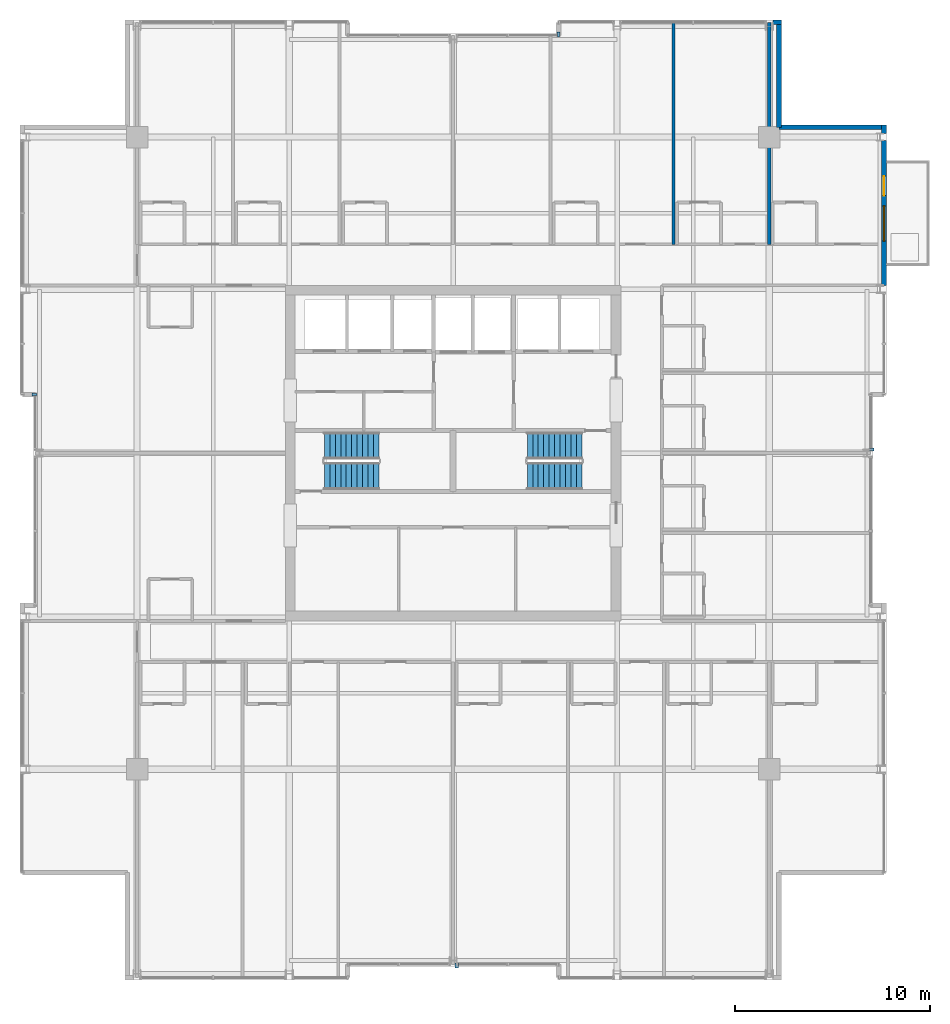
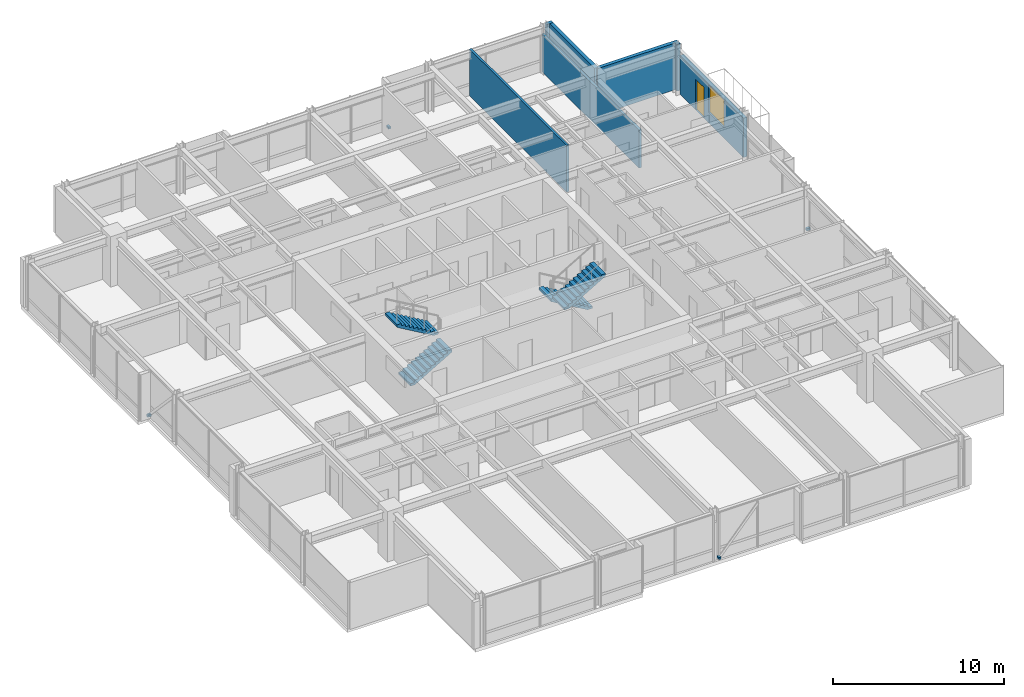
# One storey, part 30 of 33: 7 walls, 4 discrete accessories, 4 stair flights, 1 door, 1 window, 2 openings, 2 elements without a shape of their own.
"""IFC4 building model written with IfcOpenShell, lengths in metres."""

from ifc_helpers import new_model, si_unit, direction, frame, frame_2d, origin, origin_2d, place, context, subcontext, project, spatial, polyline, rectangle, outline, extrude, material, layer, layer_set, type_object, element, fill, aggregate, save


model = new_model("IFC4")

# Units and contexts
model_context = context("Model", 3, precision=1e-05, world=origin(), true_north=direction((0.0, 1.0)))
body_context = subcontext(model_context, "Body", "Model", "MODEL_VIEW")
ifc_project = project(units=[si_unit("LENGTHUNIT", "METRE"), si_unit("AREAUNIT", "SQUARE_METRE"), si_unit("VOLUMEUNIT", "CUBIC_METRE"), si_unit("PLANEANGLEUNIT", "RADIAN"), si_unit("MASSUNIT", "GRAM", prefix="KILO")], contexts=[model_context])

# Site, building, storey
site_placement = place(None, origin())
site = spatial("IfcSite", under=ifc_project, at=site_placement, CompositionType="ELEMENT")
building_placement = place(site_placement, origin())
building = spatial("IfcBuilding", under=site, at=building_placement, Name="Drelvath Grand Hotel", CompositionType="ELEMENT")
storey_placement = place(building_placement, frame((0.0, 0.0, 212.300048828125)))
storey = spatial("IfcBuildingStorey", under=building, at=storey_placement, Name="L55", CompositionType="ELEMENT", Elevation=212.300048828125)

# Walls
ifc_material_1 = material(Name="Gypsum Acoustic Partition")
ifc_layer_1 = layer(ifc_material_1, 0.14990234375)
ifc_layer_set_1 = layer_set([ifc_layer_1], Name="Gypsum Acoustic Partition")
wall_type_1 = type_object("IfcWallType", Name="Guestroom Demising Wall 150", PredefinedType="PARTITIONING", material=ifc_layer_set_1)
wall_1_placement = place(storey_placement, frame((11.291015625, 37.699951171875, 0.0), z_axis=(0.0, 0.0, 1.0), x_axis=(0.0, 1.0, 0.0)))
element("IfcWall", 1, at=wall_1_placement, inside=storey, type_object=wall_type_1, Name="L55 North Demising 5", PredefinedType="PARTITIONING", context=body_context, shape_type="SweptSolid", body=[
    extrude(rectangle(XDim=11.380126953125, YDim=0.14990234375, at=frame_2d((5.68994140625, 0.0))), origin(), (0.0, 0.0, 1.0), 3.33984375),
])
ifc_layer_2 = layer(ifc_material_1, 0.1650390625)
ifc_layer_set_2 = layer_set([ifc_layer_2], Name="Gypsum Acoustic Partition")
wall_type_2 = type_object("IfcWallType", Name="Suite Demising Wall 165", PredefinedType="PARTITIONING", material=ifc_layer_set_2)
wall_2_placement = place(storey_placement, frame((16.199951171875, 37.699951171875, 0.0), z_axis=(0.0, 0.0, 1.0), x_axis=(0.0, 1.0, 0.0)))
element("IfcWall", 2, at=wall_2_placement, inside=storey, type_object=wall_type_2, Name="L55 NE Suite Wall", PredefinedType="PARTITIONING", context=body_context, shape_type="SweptSolid", body=[
    extrude(rectangle(XDim=11.380126953125, YDim=0.1650390625, at=frame_2d((5.68994140625, 0.0))), origin(), (0.0, 0.0, 1.0), 2.7138671875),
])

# Wall, openings, window, door
ifc_material_2 = material(Name="Pale-Metal Insulated Aluminium Spandrel Assembly", Category="aluminium")
ifc_layer_3 = layer(ifc_material_2, 0.239990234375)
ifc_layer_set_3 = layer_set([ifc_layer_3], Name="Pale-Metal Insulated Aluminium Spandrel Assembly")
wall_type_3 = type_object("IfcWallType", Name="Tower Insulated Metal Spandrel Closure Wall 240", PredefinedType="STANDARD", material=ifc_layer_set_3)
wall_3_placement = place(storey_placement, frame((22.080078125, 43.0146484375, 0.0), z_axis=(0.0, 0.0, 1.0), x_axis=(0.0, -1.0, 0.0)))
wall_3 = element("IfcWall", 3, at=wall_3_placement, inside=storey, type_object=wall_type_3, Name="L55 Exterior Terrace Door Bay Wall EN2", PredefinedType="STANDARD", context=body_context, shape_type="SweptSolid", body=[
    extrude(rectangle(XDim=7.429443359375, YDim=0.239990234375, at=frame_2d((3.71484375, 0.0))), origin(), (0.0, 0.0, 1.0), 2.80322265625),
])
opening_1_placement = place(wall_3_placement, frame((1.814697265625, 0.0, 0.0)))
opening_1 = element("IfcOpeningElement", 4, at=opening_1_placement, cuts=wall_3, Name="Opening TD-1000", PredefinedType="OPENING", context=body_context, shape_type="SweptSolid", body=[
    extrude(rectangle(XDim=1.0, YDim=2.199951171875, at=frame_2d((0.5, 1.10009765625))), frame((0.0, 0.1298828125, 0.0), z_axis=(0.0, -1.0, 0.0), x_axis=(1.0, 0.0, 0.0)), (0.0, 0.0, 1.0), 0.260009765625),
])
opening_2_placement = place(wall_3_placement, frame((3.34619140625, 0.0, 0.75)))
opening_2 = element("IfcOpeningElement", 5, at=opening_2_placement, cuts=wall_3, Name="Opening W-02", PredefinedType="OPENING", context=body_context, shape_type="SweptSolid", body=[
    extrude(rectangle(XDim=1.800048828125, YDim=1.953369140625, at=frame_2d((0.89990234375, 0.9765625))), frame((0.0, 0.1298828125, 0.0), z_axis=(0.0, -1.0, 0.0), x_axis=(1.0, 0.0, 0.0)), (0.0, 0.0, 1.0), 0.260009765625),
])
ifc_material_3 = material(Name="Bronze Anodised Low-E Triple Glazing", Category="glass")
window_type = type_object("IfcWindowType", Name="Chicago Double-Pane Podium Window 1800x2400", PartitioningType="DOUBLE_PANEL_VERTICAL", PredefinedType="WINDOW", material=ifc_material_3)
window_placement = place(opening_2_placement, origin())
window = element("IfcWindow", 6, at=window_placement, inside=storey, type_object=window_type, Name="L55 Terrace Bay Companion Window EN2", OverallHeight=1.953369140625, OverallWidth=1.800048828125, PartitioningType="SINGLE_PANEL", PredefinedType="WINDOW", context=body_context, shape_type="SweptSolid", body=[
    extrude(rectangle(XDim=1.800048828125, YDim=1.953369140625, at=frame_2d((0.89990234375, 0.9765625))), frame((0.0, 0.030029296875, 0.0), z_axis=(0.0, -1.0, 0.0), x_axis=(1.0, 0.0, 0.0)), (0.0, 0.0, 1.0), 0.06005859375),
])
fill(opening_2, window)
ifc_material_4 = material(Name="Anodised Aluminium Thermally Broken Glazed Door", Category="aluminium")
door_type = type_object("IfcDoorType", Name="Terrace and Tree Balcony Glazed Door 1000x2200", OperationType="NOTDEFINED", PredefinedType="DOOR", material=ifc_material_4)
door_placement = place(opening_1_placement, origin())
door = element("IfcDoor", 7, at=door_placement, inside=storey, type_object=door_type, Name="L55 Tree Balcony Door DOOR-L55-TBAL-1", OperationType="SINGLE_SWING_RIGHT", OverallHeight=2.199951171875, OverallWidth=1.0, PredefinedType="DOOR", context=body_context, shape_type="SweptSolid", body=[
    extrude(rectangle(XDim=1.0, YDim=2.199951171875, at=frame_2d((0.5, 1.10009765625))), frame((0.0, 0.02490234375, 0.0), z_axis=(0.0, -1.0, 0.0), x_axis=(1.0, 0.0, 0.0)), (0.0, 0.0, 1.0), 0.050048828125),
])
fill(opening_1, door)

# Walls
for number, where, z_axis, x_axis, name in (
    (8, (22.080078125, 43.820068359375, 0.0), (0.0, 0.0, 1.0), (0.0, -1.0, 0.0), "L55 Corner Pier Spandrel Wall EN3"),
    (9, (16.38525390625, 49.080078125, 0.0), (0.0, 0.0, 1.0), (1.0, 0.0, 0.0), "L55 Corner Pier Spandrel Wall NE3"),
):
    element("IfcWall", number, at=place(storey_placement, frame(where, z_axis=z_axis, x_axis=x_axis)), inside=storey, type_object=wall_type_3, Name=name, PredefinedType="STANDARD", context=body_context, shape_type="SweptSolid", body=[
        extrude(rectangle(XDim=0.434814453125, YDim=0.239990234375, at=frame_2d((0.21728515625, 0.0))), origin(), (0.0, 0.0, 1.0), 3.33984375),
    ])
for number, where, z_axis, x_axis, name in (
    (10, (16.699951171875, 48.9599609375, 0.0), (0.0, 0.0, 1.0), (0.0, -1.0, 0.0), "L55 Notched Corner Return Spandrel Wall CNE1"),
    (11, (16.699951171875, 43.699951171875, 0.0), (0.0, 0.0, 1.0), (1.0, 0.0, 0.0), "L55 Notched Corner Return Spandrel Wall CNE2"),
):
    element("IfcWall", number, at=place(storey_placement, frame(where, z_axis=z_axis, x_axis=x_axis)), inside=storey, type_object=wall_type_3, Name=name, PredefinedType="STANDARD", context=body_context, shape_type="SweptSolid", body=[
        extrude(rectangle(XDim=5.260009765625, YDim=0.239990234375, at=frame_2d((2.6298828125, 0.0))), origin(), (0.0, 0.0, 1.0), 3.33984375),
    ])

# Stair, stair flights
ifc_material_5 = material(Name="Concrete C40/50", Category="concrete")
stair_type = type_object("IfcStairType", Name="Dogleg Exit Stair W1400-R163.6", PredefinedType="HALF_TURN_STAIR", material=ifc_material_5)
stair_1_placement = place(storey_placement, origin())
stair_1 = element("IfcStair", 12, at=stair_1_placement, inside=storey, type_object=stair_type, Name="L55 Core Exit Stair ST-1", PredefinedType="HALF_TURN_STAIR")
stair_flight_type = type_object("IfcStairFlightType", Name="Concrete Stair Flight W1400-R163.6", PredefinedType="STRAIGHT", material=ifc_material_5)
stair_flight_1_placement = place(storey_placement, frame((-6.60009765625, 25.820068359375, 0.0), z_axis=(0.0, 0.0, 1.0), x_axis=(1.0, 0.0, 0.0)))
stair_flight_1 = element("IfcStairFlight", 13, at=stair_flight_1_placement, type_object=stair_flight_type, Name="ST-1 flight 1", NumberOfRisers=11, NumberOfTreads=10, PredefinedType="STRAIGHT", RiserHeight=0.163636364, TreadLength=0.28, context=body_context, shape_type="SweptSolid", body=[
    extrude(outline(polyline([(0.0, 0.0), (0.0, 0.16357421875), (0.280029296875, 0.16357421875), (0.280029296875, 0.327392578125), (0.56005859375, 0.327392578125), (0.56005859375, 0.490966796875), (0.840087890625, 0.490966796875), (0.840087890625, 0.654541015625), (1.1201171875, 0.654541015625), (1.1201171875, 0.818115234375), (1.39990234375, 0.818115234375), (1.39990234375, 0.98193359375), (1.679931640625, 0.98193359375), (1.679931640625, 1.1455078125), (1.9599609375, 1.1455078125), (1.9599609375, 1.30908203125), (2.239990234375, 1.30908203125), (2.239990234375, 1.47265625), (2.52001953125, 1.47265625), (2.52001953125, 1.636474609375), (2.800048828125, 1.636474609375), (2.800048828125, 1.800048828125), (2.800048828125, 1.451171875), (0.31689453125, 0.0), (0.0, 0.0)])), frame((0.0, 0.699951171875, 0.0), z_axis=(0.0, -1.0, 0.0), x_axis=(1.0, 0.0, 0.0)), (0.0, 0.0, 1.0), 1.39990234375),
])
stair_flight_2_placement = place(storey_placement, frame((-3.800048828125, 27.3798828125, 1.800048828125), z_axis=(0.0, 0.0, 1.0), x_axis=(-1.0, 0.0, 0.0)))
stair_flight_2 = element("IfcStairFlight", 14, at=stair_flight_2_placement, type_object=stair_flight_type, Name="ST-1 flight 2", NumberOfRisers=11, NumberOfTreads=10, PredefinedType="STRAIGHT", RiserHeight=0.163636364, TreadLength=0.28, context=body_context, shape_type="SweptSolid", body=[
    extrude(outline(polyline([(0.0, 0.0), (0.0, 0.16357421875), (0.280029296875, 0.16357421875), (0.280029296875, 0.327392578125), (0.56005859375, 0.327392578125), (0.56005859375, 0.490966796875), (0.840087890625, 0.490966796875), (0.840087890625, 0.654541015625), (1.1201171875, 0.654541015625), (1.1201171875, 0.818115234375), (1.39990234375, 0.818115234375), (1.39990234375, 0.98193359375), (1.679931640625, 0.98193359375), (1.679931640625, 1.1455078125), (1.9599609375, 1.1455078125), (1.9599609375, 1.30908203125), (2.239990234375, 1.30908203125), (2.239990234375, 1.47265625), (2.52001953125, 1.47265625), (2.52001953125, 1.636474609375), (2.800048828125, 1.636474609375), (2.800048828125, 1.800048828125), (2.800048828125, 1.451171875), (0.31689453125, 0.0), (0.0, 0.0)])), frame((0.0, 0.699951171875, 0.0), z_axis=(0.0, -1.0, 0.0), x_axis=(1.0, 0.0, 0.0)), (0.0, 0.0, 1.0), 1.39990234375),
])
aggregate(stair_1, [stair_flight_1, stair_flight_2])

stair_2_placement = place(storey_placement, origin())
stair_2 = element("IfcStair", 15, at=stair_2_placement, inside=storey, type_object=stair_type, Name="L55 Core Exit Stair ST-2", PredefinedType="HALF_TURN_STAIR")
stair_flight_3_placement = place(storey_placement, frame((6.60009765625, 27.3798828125, 0.0), z_axis=(0.0, 0.0, 1.0), x_axis=(-1.0, 0.0, 0.0)))
stair_flight_3 = element("IfcStairFlight", 16, at=stair_flight_3_placement, type_object=stair_flight_type, Name="ST-2 flight 1", NumberOfRisers=11, NumberOfTreads=10, PredefinedType="STRAIGHT", RiserHeight=0.163636364, TreadLength=0.28, context=body_context, shape_type="SweptSolid", body=[
    extrude(outline(polyline([(0.0, 0.0), (0.0, 0.16357421875), (0.280029296875, 0.16357421875), (0.280029296875, 0.327392578125), (0.56005859375, 0.327392578125), (0.56005859375, 0.490966796875), (0.840087890625, 0.490966796875), (0.840087890625, 0.654541015625), (1.1201171875, 0.654541015625), (1.1201171875, 0.818115234375), (1.39990234375, 0.818115234375), (1.39990234375, 0.98193359375), (1.679931640625, 0.98193359375), (1.679931640625, 1.1455078125), (1.9599609375, 1.1455078125), (1.9599609375, 1.30908203125), (2.239990234375, 1.30908203125), (2.239990234375, 1.47265625), (2.52001953125, 1.47265625), (2.52001953125, 1.636474609375), (2.800048828125, 1.636474609375), (2.800048828125, 1.800048828125), (2.800048828125, 1.451171875), (0.31689453125, 0.0), (0.0, 0.0)])), frame((0.0, 0.699951171875, 0.0), z_axis=(0.0, -1.0, 0.0), x_axis=(1.0, 0.0, 0.0)), (0.0, 0.0, 1.0), 1.39990234375),
])
stair_flight_4_placement = place(storey_placement, frame((3.800048828125, 25.820068359375, 1.800048828125), z_axis=(0.0, 0.0, 1.0), x_axis=(1.0, 0.0, 0.0)))
stair_flight_4 = element("IfcStairFlight", 17, at=stair_flight_4_placement, type_object=stair_flight_type, Name="ST-2 flight 2", NumberOfRisers=11, NumberOfTreads=10, PredefinedType="STRAIGHT", RiserHeight=0.163636364, TreadLength=0.28, context=body_context, shape_type="SweptSolid", body=[
    extrude(outline(polyline([(0.0, 0.0), (0.0, 0.16357421875), (0.280029296875, 0.16357421875), (0.280029296875, 0.327392578125), (0.56005859375, 0.327392578125), (0.56005859375, 0.490966796875), (0.840087890625, 0.490966796875), (0.840087890625, 0.654541015625), (1.1201171875, 0.654541015625), (1.1201171875, 0.818115234375), (1.39990234375, 0.818115234375), (1.39990234375, 0.98193359375), (1.679931640625, 0.98193359375), (1.679931640625, 1.1455078125), (1.9599609375, 1.1455078125), (1.9599609375, 1.30908203125), (2.239990234375, 1.30908203125), (2.239990234375, 1.47265625), (2.52001953125, 1.47265625), (2.52001953125, 1.636474609375), (2.800048828125, 1.636474609375), (2.800048828125, 1.800048828125), (2.800048828125, 1.451171875), (0.31689453125, 0.0), (0.0, 0.0)])), frame((0.0, 0.699951171875, 0.0), z_axis=(0.0, -1.0, 0.0), x_axis=(1.0, 0.0, 0.0)), (0.0, 0.0, 1.0), 1.39990234375),
])
aggregate(stair_2, [stair_flight_3, stair_flight_4])

# Discrete accessories
ifc_material_6 = material(Name="Stainless Steel Grade 316", Category="steel")
discrete_accessory_type = type_object("IfcDiscreteAccessoryType", Name="Curtain Wall Fin Mounting Bracket Cleat", PredefinedType="BRACKET", material=ifc_material_6)
for number, where, z_axis, x_axis, name in (
    (18, (-21.4599609375, 30.0, 0.10009765625), (0.0, 0.0, 1.0), (0.0, 1.0, 0.0), "L55 Fin Mounting Bracket CW05-L55-WM2-1"),
    (19, (21.4599609375, 27.185302734375, 0.10009765625), (0.0, 0.0, 1.0), (0.0, -1.0, 0.0), "L55 Fin Mounting Bracket CW05-L55-EM2-1"),
    (20, (5.39990234375, 48.4599609375, 0.10009765625), (0.0, 0.0, 1.0), (1.0, 0.0, 0.0), "L55 Fin Mounting Bracket CW05-L55-NM2-1"),
    (21, (0.185302734375, 0.739990234375, 0.10009765625), (0.0, 0.0, 1.0), (-1.0, 0.0, 0.0), "L55 Fin Mounting Bracket CW05-L55-SM2-1"),
):
    element("IfcDiscreteAccessory", number, at=place(storey_placement, frame(where, z_axis=z_axis, x_axis=x_axis)), inside=storey, type_object=discrete_accessory_type, Name=name, PredefinedType="BRACKET", context=body_context, shape_type="SweptSolid", body=[
        extrude(rectangle(XDim=0.159912109375, YDim=0.239990234375, at=origin_2d()), origin(), (0.0, 0.0, 1.0), 0.159912109375),
    ])

save(model, "model.ifc")
